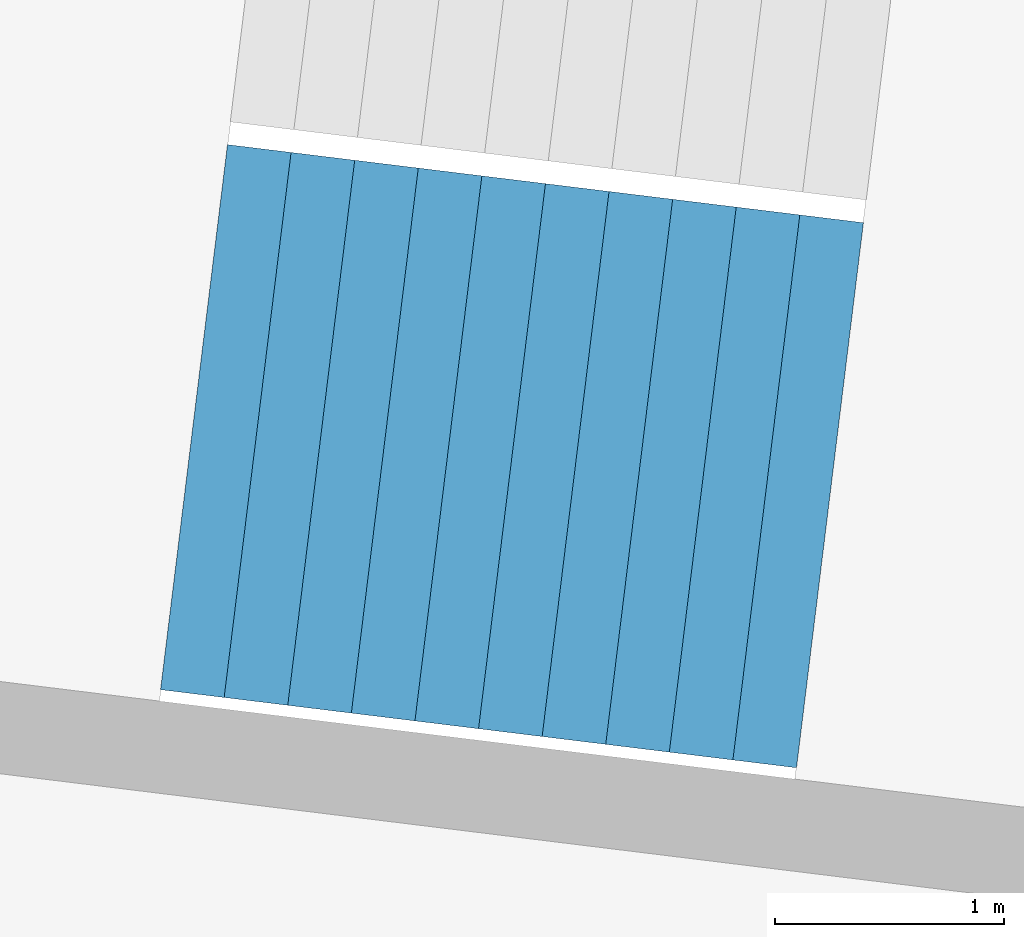
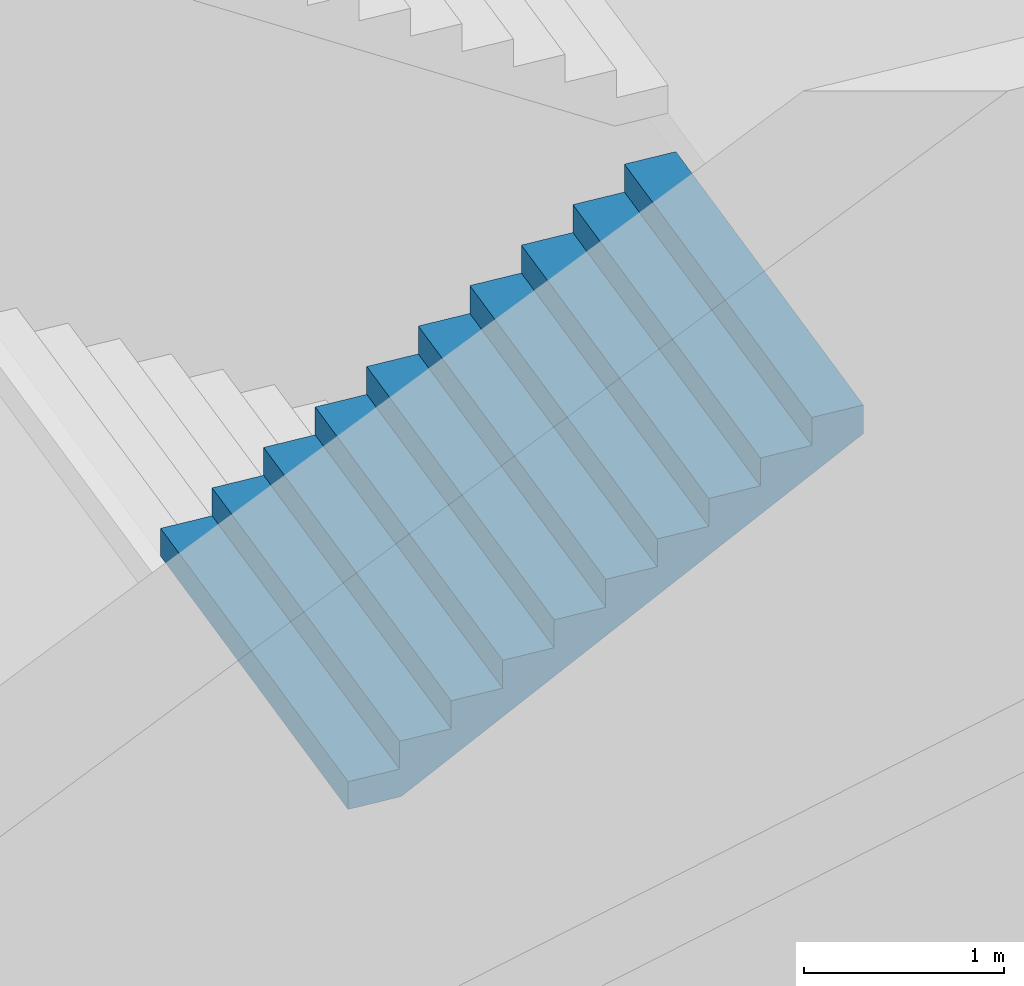
# One storey, part 54 of 73: 1 stair flight, 1 element without a shape of its own.
"""IFC4 building model written with IfcOpenShell, lengths in metres."""

from ifc_helpers import new_model, si_unit, direction, frame, origin, place, context, subcontext, project, spatial, triangles, material, type_object, element, aggregate, save


model = new_model("IFC4")

# Units and contexts
model_context = context("Model", 3, precision=1e-05, world=origin(), true_north=direction((0.0, 1.0)))
body_context = subcontext(model_context, "Body", "Model", "MODEL_VIEW")
ifc_project = project(units=[si_unit("LENGTHUNIT", "METRE"), si_unit("AREAUNIT", "SQUARE_METRE"), si_unit("VOLUMEUNIT", "CUBIC_METRE"), si_unit("PLANEANGLEUNIT", "RADIAN"), si_unit("MASSUNIT", "GRAM", prefix="KILO")], contexts=[model_context])

# Site, building, storey
site_placement = place(None, origin())
site = spatial("IfcSite", under=ifc_project, at=site_placement, CompositionType="ELEMENT")
building_placement = place(site_placement, origin())
building = spatial("IfcBuilding", under=site, at=building_placement, Name="Lantaw Convention Tower", CompositionType="ELEMENT")
storey_placement = place(building_placement, frame((0.0, 0.0, 14.5)))
storey = spatial("IfcBuildingStorey", under=building, at=storey_placement, Name="L02", CompositionType="ELEMENT", Elevation=14.5)

# Stair, stair flight
ifc_material = material(Name="Concrete C35/45", Category="concrete")
stair_type = type_object("IfcStairType", Name="Exit stair 2400 riser 170.45 in 4 flights", PredefinedType="HALF_TURN_STAIR", material=ifc_material)
stair_placement = place(storey_placement, origin())
stair = element("IfcStair", 1, at=stair_placement, inside=storey, type_object=stair_type, Name="Podium exit stair P13 L02", PredefinedType="HALF_TURN_STAIR")
stair_flight_type = type_object("IfcStairFlightType", Name="Stair flight 2400 riser 170.45", PredefinedType="STRAIGHT", material=ifc_material)
stair_flight_placement = place(storey_placement, frame((34.857421875, -5.539306640625, 3.75), z_axis=(0.0, 0.0, 1.0), x_axis=(0.992546151641, -0.121869343405, 0.0)))
stair_flight = element("IfcStairFlight", 2, at=stair_flight_placement, type_object=stair_flight_type, Name="P13 flight 3", NumberOfRisers=11, NumberOfTreads=10, PredefinedType="STRAIGHT", RiserHeight=0.170454545, TreadLength=0.28, context=body_context, shape_type="Tessellation", body=[
    triangles([(0.0, 1.199951171875, 0.0), (0.0, 1.199951171875, 0.170454545), (0.28, 1.199951171875, 0.0), (0.28, 1.199951171875, 0.170454545), (0.28, 1.199951171875, 0.34090909), (0.28827876332691904, 1.199951171875, 0.0), (0.28827876332691904, 1.199951171875, 0.34090909), (0.56, 1.199951171875, 0.16541471344266906), (0.56, 1.199951171875, 0.34090909), (0.56, 1.199951171875, 0.511363635), (0.8400000000000001, 1.199951171875, 0.335869258442669), (0.8400000000000001, 1.199951171875, 0.511363635), (0.8400000000000001, 1.199951171875, 0.68181818), (1.12, 1.199951171875, 0.506323803442669), (1.12, 1.199951171875, 0.68181818), (1.12, 1.199951171875, 0.8522727250000001), (1.4000000000000001, 1.199951171875, 0.676778348442669), (1.4000000000000001, 1.199951171875, 0.8522727250000001), (1.4000000000000001, 1.199951171875, 1.02272727), (1.6800000000000002, 1.199951171875, 0.847232893442669), (1.6800000000000002, 1.199951171875, 1.02272727), (1.6800000000000002, 1.199951171875, 1.193181815), (1.9600000000000002, 1.199951171875, 1.017687438442669), (1.9600000000000002, 1.199951171875, 1.193181815), (1.9600000000000002, 1.199951171875, 1.36363636), (2.24, 1.199951171875, 1.188141983442669), (2.24, 1.199951171875, 1.36363636), (2.24, 1.199951171875, 1.5340909050000002), (2.5200000000000005, 1.199951171875, 1.358596528442669), (2.5200000000000005, 1.199951171875, 1.5340909050000002), (2.5200000000000005, 1.199951171875, 1.7045454500000001), (2.8000000000000003, 1.199951171875, 1.529051073442669), (2.8000000000000003, 1.199951171875, 1.7045454500000001), (0.0, -1.199951171875, 0.0), (0.0, -1.199951171875, 0.170454545), (0.28, -1.199951171875, 0.0), (0.28, -1.199951171875, 0.170454545), (0.28, -1.199951171875, 0.34090909), (0.28827876332691904, -1.199951171875, 0.0), (0.28827876332691904, -1.199951171875, 0.34090909), (0.56, -1.199951171875, 0.16541471344266906), (0.56, -1.199951171875, 0.34090909), (0.56, -1.199951171875, 0.511363635), (0.8400000000000001, -1.199951171875, 0.335869258442669), (0.8400000000000001, -1.199951171875, 0.511363635), (0.8400000000000001, -1.199951171875, 0.68181818), (1.12, -1.199951171875, 0.506323803442669), (1.12, -1.199951171875, 0.68181818), (1.12, -1.199951171875, 0.8522727250000001), (1.4000000000000001, -1.199951171875, 0.676778348442669), (1.4000000000000001, -1.199951171875, 0.8522727250000001), (1.4000000000000001, -1.199951171875, 1.02272727), (1.6800000000000002, -1.199951171875, 0.847232893442669), (1.6800000000000002, -1.199951171875, 1.02272727), (1.6800000000000002, -1.199951171875, 1.193181815), (1.9600000000000002, -1.199951171875, 1.017687438442669), (1.9600000000000002, -1.199951171875, 1.193181815), (1.9600000000000002, -1.199951171875, 1.36363636), (2.24, -1.199951171875, 1.188141983442669), (2.24, -1.199951171875, 1.36363636), (2.24, -1.199951171875, 1.5340909050000002), (2.5200000000000005, -1.199951171875, 1.358596528442669), (2.5200000000000005, -1.199951171875, 1.5340909050000002), (2.5200000000000005, -1.199951171875, 1.7045454500000001), (2.8000000000000003, -1.199951171875, 1.529051073442669), (2.8000000000000003, -1.199951171875, 1.7045454500000001), (0.0, 0.239990234375, 0.170454545), (0.0, 0.239990234375, 0.0), (0.0, 0.1199951171875, 0.170454545), (0.0, 0.1199951171875, 0.0), (0.0, 0.0, 0.170454545), (0.0, 0.0, 0.0), (0.0, -0.1199951171875, 0.170454545), (0.0, -0.1199951171875, 0.0), (0.0, -0.239990234375, 0.170454545), (0.0, -0.239990234375, 0.0), (0.28, 0.239990234375, 0.34090909), (0.28, 0.239990234375, 0.170454545), (0.28, 0.1199951171875, 0.34090909), (0.28, 0.1199951171875, 0.170454545), (0.28, 0.0, 0.34090909), (0.28, 0.0, 0.170454545), (0.28, -0.1199951171875, 0.34090909), (0.28, -0.1199951171875, 0.170454545), (0.28, -0.239990234375, 0.34090909), (0.28, -0.239990234375, 0.170454545), (0.56, 0.239990234375, 0.511363635), (0.56, 0.239990234375, 0.34090909), (0.56, 0.1199951171875, 0.511363635), (0.56, 0.1199951171875, 0.34090909), (0.56, 0.0, 0.511363635), (0.56, 0.0, 0.34090909), (0.56, -0.1199951171875, 0.511363635), (0.56, -0.1199951171875, 0.34090909), (0.56, -0.239990234375, 0.511363635), (0.56, -0.239990234375, 0.34090909), (0.8400000000000001, 0.239990234375, 0.68181818), (0.8400000000000001, 0.239990234375, 0.511363635), (0.8400000000000001, 0.1199951171875, 0.68181818), (0.8400000000000001, 0.1199951171875, 0.511363635), (0.8400000000000001, 0.0, 0.68181818), (0.8400000000000001, 0.0, 0.511363635), (0.8400000000000001, -0.1199951171875, 0.68181818), (0.8400000000000001, -0.1199951171875, 0.511363635), (0.8400000000000001, -0.239990234375, 0.68181818), (0.8400000000000001, -0.239990234375, 0.511363635), (1.12, 0.239990234375, 0.8522727250000001), (1.12, 0.239990234375, 0.68181818), (1.12, 0.1199951171875, 0.8522727250000001), (1.12, 0.1199951171875, 0.68181818), (1.12, 0.0, 0.8522727250000001), (1.12, 0.0, 0.68181818), (1.12, -0.1199951171875, 0.8522727250000001), (1.12, -0.1199951171875, 0.68181818), (1.12, -0.239990234375, 0.8522727250000001), (1.12, -0.239990234375, 0.68181818), (1.4000000000000001, 0.239990234375, 1.02272727), (1.4000000000000001, 0.239990234375, 0.8522727250000001), (1.4000000000000001, 0.1199951171875, 1.02272727), (1.4000000000000001, 0.1199951171875, 0.8522727250000001), (1.4000000000000001, 0.0, 1.02272727), (1.4000000000000001, 0.0, 0.8522727250000001), (1.4000000000000001, -0.1199951171875, 1.02272727), (1.4000000000000001, -0.1199951171875, 0.8522727250000001), (1.4000000000000001, -0.239990234375, 1.02272727), (1.4000000000000001, -0.239990234375, 0.8522727250000001), (1.6800000000000002, 0.239990234375, 1.193181815), (1.6800000000000002, 0.239990234375, 1.02272727), (1.6800000000000002, 0.1199951171875, 1.193181815), (1.6800000000000002, 0.1199951171875, 1.02272727), (1.6800000000000002, 0.0, 1.193181815), (1.6800000000000002, 0.0, 1.02272727), (1.6800000000000002, -0.1199951171875, 1.193181815), (1.6800000000000002, -0.1199951171875, 1.02272727), (1.6800000000000002, -0.239990234375, 1.193181815), (1.6800000000000002, -0.239990234375, 1.02272727), (1.9600000000000002, 0.239990234375, 1.36363636), (1.9600000000000002, 0.239990234375, 1.193181815), (1.9600000000000002, 0.1199951171875, 1.36363636), (1.9600000000000002, 0.1199951171875, 1.193181815), (1.9600000000000002, 0.0, 1.36363636), (1.9600000000000002, 0.0, 1.193181815), (1.9600000000000002, -0.1199951171875, 1.36363636), (1.9600000000000002, -0.1199951171875, 1.193181815), (1.9600000000000002, -0.239990234375, 1.36363636), (1.9600000000000002, -0.239990234375, 1.193181815), (2.24, 0.239990234375, 1.5340909050000002), (2.24, 0.239990234375, 1.36363636), (2.24, 0.1199951171875, 1.5340909050000002), (2.24, 0.1199951171875, 1.36363636), (2.24, 0.0, 1.5340909050000002), (2.24, 0.0, 1.36363636), (2.24, -0.1199951171875, 1.5340909050000002), (2.24, -0.1199951171875, 1.36363636), (2.24, -0.239990234375, 1.5340909050000002), (2.24, -0.239990234375, 1.36363636), (2.5200000000000005, 0.239990234375, 1.7045454500000001), (2.5200000000000005, 0.239990234375, 1.5340909050000002), (2.5200000000000005, 0.1199951171875, 1.7045454500000001), (2.5200000000000005, 0.1199951171875, 1.5340909050000002), (2.5200000000000005, 0.0, 1.7045454500000001), (2.5200000000000005, 0.0, 1.5340909050000002), (2.5200000000000005, -0.1199951171875, 1.7045454500000001), (2.5200000000000005, -0.1199951171875, 1.5340909050000002), (2.5200000000000005, -0.239990234375, 1.7045454500000001), (2.5200000000000005, -0.239990234375, 1.5340909050000002), (0.28827876332691904, 0.239990234375, 0.34090909), (0.28827876332691904, 0.1199951171875, 0.34090909), (0.28827876332691904, 0.0, 0.34090909), (0.28827876332691904, -0.1199951171875, 0.34090909), (0.28827876332691904, -0.239990234375, 0.34090909), (2.8000000000000003, 0.239990234375, 1.7045454500000001), (2.8000000000000003, 0.1199951171875, 1.7045454500000001), (2.8000000000000003, 0.0, 1.7045454500000001), (2.8000000000000003, -0.1199951171875, 1.7045454500000001), (2.8000000000000003, -0.239990234375, 1.7045454500000001), (2.8000000000000003, 0.239990234375, 1.5290510734426692), (2.8000000000000003, 0.1199951171875, 1.5290510734426692), (2.8000000000000003, 0.0, 1.5290510734426692), (2.8000000000000003, -0.1199951171875, 1.5290510734426692), (2.8000000000000003, -0.239990234375, 1.5290510734426692), (2.5200000000000005, 0.239990234375, 1.358596528442669), (2.5200000000000005, 0.1199951171875, 1.358596528442669), (2.5200000000000005, 0.0, 1.358596528442669), (2.5200000000000005, -0.1199951171875, 1.358596528442669), (2.5200000000000005, -0.239990234375, 1.358596528442669), (2.24, 0.239990234375, 1.188141983442669), (2.24, 0.1199951171875, 1.188141983442669), (2.24, 0.0, 1.188141983442669), (2.24, -0.1199951171875, 1.188141983442669), (2.24, -0.239990234375, 1.188141983442669), (1.9600000000000002, 0.239990234375, 1.017687438442669), (1.9600000000000002, 0.1199951171875, 1.017687438442669), (1.9600000000000002, 0.0, 1.017687438442669), (1.9600000000000002, -0.1199951171875, 1.017687438442669), (1.9600000000000002, -0.239990234375, 1.017687438442669), (1.6800000000000002, 0.239990234375, 0.847232893442669), (1.6800000000000002, 0.1199951171875, 0.847232893442669), (1.6800000000000002, 0.0, 0.847232893442669), (1.6800000000000002, -0.1199951171875, 0.847232893442669), (1.6800000000000002, -0.239990234375, 0.847232893442669), (1.4000000000000001, 0.239990234375, 0.676778348442669), (1.4000000000000001, 0.1199951171875, 0.676778348442669), (1.4000000000000001, 0.0, 0.676778348442669), (1.4000000000000001, -0.1199951171875, 0.676778348442669), (1.4000000000000001, -0.239990234375, 0.676778348442669), (1.12, 0.239990234375, 0.506323803442669), (1.12, 0.1199951171875, 0.506323803442669), (1.12, 0.0, 0.506323803442669), (1.12, -0.1199951171875, 0.506323803442669), (1.12, -0.239990234375, 0.506323803442669), (0.8400000000000001, 0.239990234375, 0.335869258442669), (0.8400000000000001, 0.1199951171875, 0.335869258442669), (0.8400000000000001, 0.0, 0.335869258442669), (0.8400000000000001, -0.1199951171875, 0.335869258442669), (0.8400000000000001, -0.239990234375, 0.335869258442669), (0.56, 0.239990234375, 0.16541471344266906), (0.56, 0.1199951171875, 0.16541471344266906), (0.56, 0.0, 0.16541471344266906), (0.56, -0.1199951171875, 0.16541471344266906), (0.56, -0.239990234375, 0.16541471344266906), (0.28827876332691904, 0.239990234375, 0.0), (0.28827876332691904, 0.1199951171875, 0.0), (0.28827876332691904, 0.0, 0.0), (0.28827876332691904, -0.1199951171875, 0.0), (0.28827876332691904, -0.239990234375, 0.0), (0.28, 0.239990234375, 0.0), (0.28, 0.1199951171875, 0.0), (0.28, 0.0, 0.0), (0.28, -0.1199951171875, 0.0), (0.28, -0.239990234375, 0.0)], [[1, 4, 3], [1, 2, 4], [3, 4, 6], [4, 7, 6], [4, 5, 7], [6, 9, 8], [6, 7, 9], [8, 9, 11], [9, 12, 11], [9, 10, 12], [11, 12, 14], [12, 15, 14], [12, 13, 15], [14, 15, 17], [15, 18, 17], [15, 16, 18], [17, 18, 20], [18, 21, 20], [18, 19, 21], [20, 21, 23], [21, 24, 23], [21, 22, 24], [23, 24, 26], [24, 27, 26], [24, 25, 27], [26, 27, 29], [27, 30, 29], [27, 28, 30], [29, 30, 32], [30, 33, 32], [30, 31, 33], [34, 36, 37], [34, 37, 35], [36, 39, 37], [37, 39, 40], [37, 40, 38], [39, 41, 42], [39, 42, 40], [41, 44, 42], [42, 44, 45], [42, 45, 43], [44, 47, 45], [45, 47, 48], [45, 48, 46], [47, 50, 48], [48, 50, 51], [48, 51, 49], [50, 53, 51], [51, 53, 54], [51, 54, 52], [53, 56, 54], [54, 56, 57], [54, 57, 55], [56, 59, 57], [57, 59, 60], [57, 60, 58], [59, 62, 60], [60, 62, 63], [60, 63, 61], [62, 65, 63], [63, 65, 66], [63, 66, 64], [1, 67, 2], [1, 68, 67], [68, 69, 67], [68, 70, 69], [70, 71, 69], [70, 72, 71], [72, 73, 71], [72, 74, 73], [74, 75, 73], [74, 76, 75], [76, 35, 75], [76, 34, 35], [4, 77, 5], [4, 78, 77], [78, 79, 77], [78, 80, 79], [80, 81, 79], [80, 82, 81], [82, 83, 81], [82, 84, 83], [84, 85, 83], [84, 86, 85], [86, 38, 85], [86, 37, 38], [9, 87, 10], [9, 88, 87], [88, 89, 87], [88, 90, 89], [90, 91, 89], [90, 92, 91], [92, 93, 91], [92, 94, 93], [94, 95, 93], [94, 96, 95], [96, 43, 95], [96, 42, 43], [12, 97, 13], [12, 98, 97], [98, 99, 97], [98, 100, 99], [100, 101, 99], [100, 102, 101], [102, 103, 101], [102, 104, 103], [104, 105, 103], [104, 106, 105], [106, 46, 105], [106, 45, 46], [15, 107, 16], [15, 108, 107], [108, 109, 107], [108, 110, 109], [110, 111, 109], [110, 112, 111], [112, 113, 111], [112, 114, 113], [114, 115, 113], [114, 116, 115], [116, 49, 115], [116, 48, 49], [18, 117, 19], [18, 118, 117], [118, 119, 117], [118, 120, 119], [120, 121, 119], [120, 122, 121], [122, 123, 121], [122, 124, 123], [124, 125, 123], [124, 126, 125], [126, 52, 125], [126, 51, 52], [21, 127, 22], [21, 128, 127], [128, 129, 127], [128, 130, 129], [130, 131, 129], [130, 132, 131], [132, 133, 131], [132, 134, 133], [134, 135, 133], [134, 136, 135], [136, 55, 135], [136, 54, 55], [24, 137, 25], [24, 138, 137], [138, 139, 137], [138, 140, 139], [140, 141, 139], [140, 142, 141], [142, 143, 141], [142, 144, 143], [144, 145, 143], [144, 146, 145], [146, 58, 145], [146, 57, 58], [27, 147, 28], [27, 148, 147], [148, 149, 147], [148, 150, 149], [150, 151, 149], [150, 152, 151], [152, 153, 151], [152, 154, 153], [154, 155, 153], [154, 156, 155], [156, 61, 155], [156, 60, 61], [30, 157, 31], [30, 158, 157], [158, 159, 157], [158, 160, 159], [160, 161, 159], [160, 162, 161], [162, 163, 161], [162, 164, 163], [164, 165, 163], [164, 166, 165], [166, 64, 165], [166, 63, 64], [2, 78, 4], [2, 67, 78], [67, 80, 78], [67, 69, 80], [69, 82, 80], [69, 71, 82], [71, 84, 82], [71, 73, 84], [73, 86, 84], [73, 75, 86], [75, 37, 86], [75, 35, 37], [5, 167, 7], [5, 77, 167], [77, 168, 167], [77, 79, 168], [79, 169, 168], [79, 81, 169], [81, 170, 169], [81, 83, 170], [83, 171, 170], [83, 85, 171], [85, 40, 171], [85, 38, 40], [7, 88, 9], [7, 167, 88], [167, 90, 88], [167, 168, 90], [168, 92, 90], [168, 169, 92], [169, 94, 92], [169, 170, 94], [170, 96, 94], [170, 171, 96], [171, 42, 96], [171, 40, 42], [10, 98, 12], [10, 87, 98], [87, 100, 98], [87, 89, 100], [89, 102, 100], [89, 91, 102], [91, 104, 102], [91, 93, 104], [93, 106, 104], [93, 95, 106], [95, 45, 106], [95, 43, 45], [13, 108, 15], [13, 97, 108], [97, 110, 108], [97, 99, 110], [99, 112, 110], [99, 101, 112], [101, 114, 112], [101, 103, 114], [103, 116, 114], [103, 105, 116], [105, 48, 116], [105, 46, 48], [16, 118, 18], [16, 107, 118], [107, 120, 118], [107, 109, 120], [109, 122, 120], [109, 111, 122], [111, 124, 122], [111, 113, 124], [113, 126, 124], [113, 115, 126], [115, 51, 126], [115, 49, 51], [19, 128, 21], [19, 117, 128], [117, 130, 128], [117, 119, 130], [119, 132, 130], [119, 121, 132], [121, 134, 132], [121, 123, 134], [123, 136, 134], [123, 125, 136], [125, 54, 136], [125, 52, 54], [22, 138, 24], [22, 127, 138], [127, 140, 138], [127, 129, 140], [129, 142, 140], [129, 131, 142], [131, 144, 142], [131, 133, 144], [133, 146, 144], [133, 135, 146], [135, 57, 146], [135, 55, 57], [25, 148, 27], [25, 137, 148], [137, 150, 148], [137, 139, 150], [139, 152, 150], [139, 141, 152], [141, 154, 152], [141, 143, 154], [143, 156, 154], [143, 145, 156], [145, 60, 156], [145, 58, 60], [28, 158, 30], [28, 147, 158], [147, 160, 158], [147, 149, 160], [149, 162, 160], [149, 151, 162], [151, 164, 162], [151, 153, 164], [153, 166, 164], [153, 155, 166], [155, 63, 166], [155, 61, 63], [31, 172, 33], [31, 157, 172], [157, 173, 172], [157, 159, 173], [159, 174, 173], [159, 161, 174], [161, 175, 174], [161, 163, 175], [163, 176, 175], [163, 165, 176], [165, 66, 176], [165, 64, 66], [33, 177, 32], [33, 172, 177], [172, 178, 177], [172, 173, 178], [173, 179, 178], [173, 174, 179], [174, 180, 179], [174, 175, 180], [175, 181, 180], [175, 176, 181], [176, 65, 181], [176, 66, 65], [32, 182, 29], [32, 177, 182], [177, 183, 182], [177, 178, 183], [178, 184, 183], [178, 179, 184], [179, 185, 184], [179, 180, 185], [180, 186, 185], [180, 181, 186], [181, 62, 186], [181, 65, 62], [29, 187, 26], [29, 182, 187], [182, 188, 187], [182, 183, 188], [183, 189, 188], [183, 184, 189], [184, 190, 189], [184, 185, 190], [185, 191, 190], [185, 186, 191], [186, 59, 191], [186, 62, 59], [26, 192, 23], [26, 187, 192], [187, 193, 192], [187, 188, 193], [188, 194, 193], [188, 189, 194], [189, 195, 194], [189, 190, 195], [190, 196, 195], [190, 191, 196], [191, 56, 196], [191, 59, 56], [23, 197, 20], [23, 192, 197], [192, 198, 197], [192, 193, 198], [193, 199, 198], [193, 194, 199], [194, 200, 199], [194, 195, 200], [195, 201, 200], [195, 196, 201], [196, 53, 201], [196, 56, 53], [20, 202, 17], [20, 197, 202], [197, 203, 202], [197, 198, 203], [198, 204, 203], [198, 199, 204], [199, 205, 204], [199, 200, 205], [200, 206, 205], [200, 201, 206], [201, 50, 206], [201, 53, 50], [17, 207, 14], [17, 202, 207], [202, 208, 207], [202, 203, 208], [203, 209, 208], [203, 204, 209], [204, 210, 209], [204, 205, 210], [205, 211, 210], [205, 206, 211], [206, 47, 211], [206, 50, 47], [14, 212, 11], [14, 207, 212], [207, 213, 212], [207, 208, 213], [208, 214, 213], [208, 209, 214], [209, 215, 214], [209, 210, 215], [210, 216, 215], [210, 211, 216], [211, 44, 216], [211, 47, 44], [11, 217, 8], [11, 212, 217], [212, 218, 217], [212, 213, 218], [213, 219, 218], [213, 214, 219], [214, 220, 219], [214, 215, 220], [215, 221, 220], [215, 216, 221], [216, 41, 221], [216, 44, 41], [8, 222, 6], [8, 217, 222], [217, 223, 222], [217, 218, 223], [218, 224, 223], [218, 219, 224], [219, 225, 224], [219, 220, 225], [220, 226, 225], [220, 221, 226], [221, 39, 226], [221, 41, 39], [6, 227, 3], [6, 222, 227], [222, 228, 227], [222, 223, 228], [223, 229, 228], [223, 224, 229], [224, 230, 229], [224, 225, 230], [225, 231, 230], [225, 226, 231], [226, 36, 231], [226, 39, 36], [3, 68, 1], [3, 227, 68], [227, 70, 68], [227, 228, 70], [228, 72, 70], [228, 229, 72], [229, 74, 72], [229, 230, 74], [230, 76, 74], [230, 231, 76], [231, 34, 76], [231, 36, 34]], closed=True),
])
aggregate(stair, [stair_flight])

save(model, "model.ifc")
